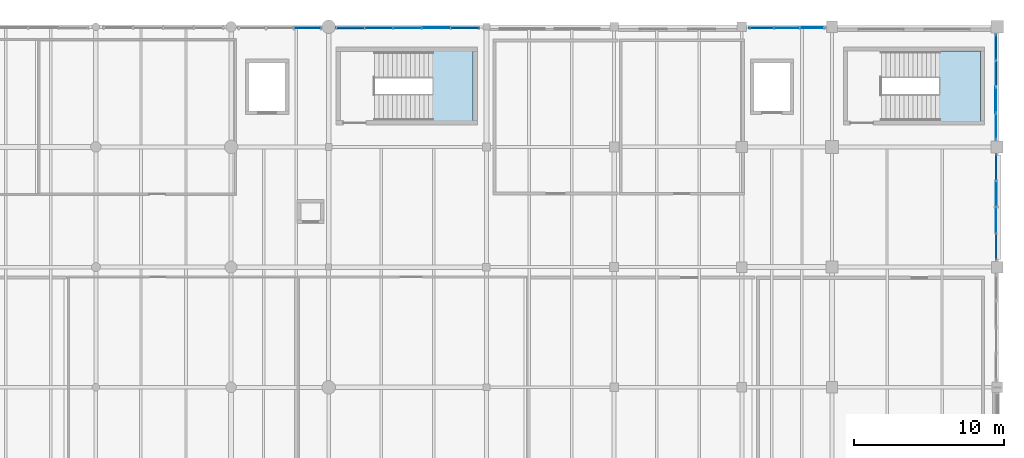
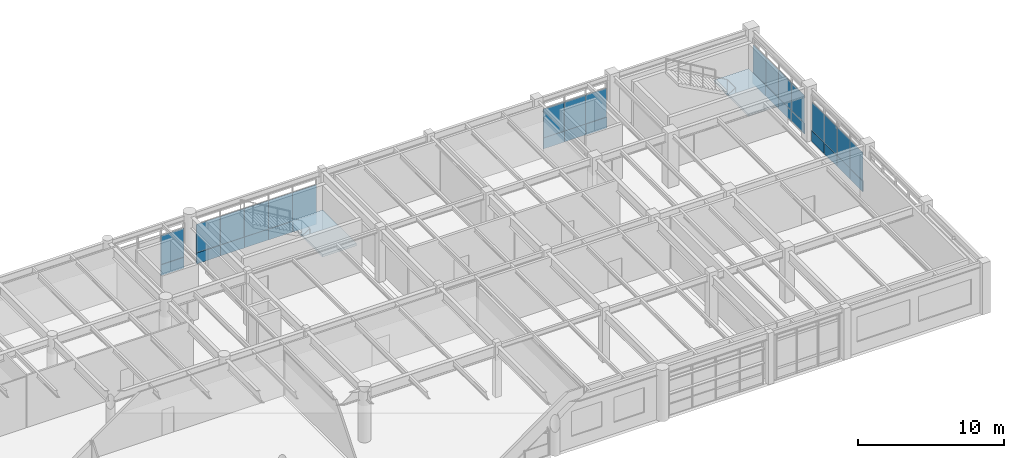
# One storey, part 139 of 168: 34 plates, 2 slabs, 7 elements without a shape of their own.
"""IFC4 building model written with IfcOpenShell, lengths in metres."""

import ifcopenshell
import ifcopenshell.guid

model = None  # the IFC model being written
_history = None  # IfcOwnerHistory: only IFC2X3 demands one
_inside = {}  # id of a spatial element -> (the spatial element, [elements in it])
_under = {}  # id of a project, library or spatial element -> (it, [spatial elements below it])
_declared = {}  # id of a project -> (the project, [libraries it declares])
_typed = {}  # id of a type object -> (the type object, [elements of that type])
_made_of = {}  # id of a material, layer set ... -> (it, [elements and type objects made of it])


def new_model(schema):
    """Start an empty IFC model of exactly this schema.

    Asked for "IFC4X3", IfcOpenShell would pick the latest addendum, in which some entities
    have other attributes; the version numbers below select the first issue.
    IFC2X3 requires an IfcOwnerHistory on every rooted entity: one is made here for all.
    """
    global model, _history
    if schema == "IFC4X3":
        model = ifcopenshell.file(schema_version=(4, 3, 0, 0))
    else:
        model = ifcopenshell.file(schema=schema)
    _inside.clear()
    _under.clear()
    _declared.clear()
    _typed.clear()
    _made_of.clear()
    _history = None
    if model.schema == "IFC2X3":
        org = make("IfcOrganization", Name="unknown")
        user = make(
            "IfcPersonAndOrganization",
            ThePerson=make("IfcPerson", FamilyName="unknown"),
            TheOrganization=org,
        )
        app = make(
            "IfcApplication",
            ApplicationDeveloper=org,
            Version="unknown",
            ApplicationFullName="unknown",
            ApplicationIdentifier="unknown",
        )
        _history = make(
            "IfcOwnerHistory",
            OwningUser=user,
            OwningApplication=app,
            ChangeAction="ADDED",
            CreationDate=0,
        )
    return model


def make(cls, **values):
    """One entity of the class cls with the attributes given. An attribute that is None is left unset."""
    return model.create_entity(
        cls, **{name: value for name, value in values.items() if value is not None}
    )


def rooted(cls, **values):
    """An entity with a GlobalId (a new one), such as an element, a storey or a relation."""
    return make(cls, GlobalId=ifcopenshell.guid.new(), OwnerHistory=_history, **values)


def si_unit(unit_type, name, prefix=None):
    """IfcSIUnit, for example si_unit("LENGTHUNIT", "METRE", prefix="MILLI")."""
    return make("IfcSIUnit", UnitType=unit_type, Prefix=prefix, Name=name)


def assignment(units):
    """IfcUnitAssignment: the units of a project."""
    return None if units is None else make("IfcUnitAssignment", Units=units)


def point(xyz):
    """IfcCartesianPoint."""
    return None if xyz is None else make("IfcCartesianPoint", Coordinates=xyz)


def direction(xyz):
    """IfcDirection."""
    return None if xyz is None else make("IfcDirection", DirectionRatios=xyz)


def frame(location, z_axis=None, x_axis=None):
    """IfcAxis2Placement3D, a coordinate frame: its origin and axes. An axis left out is left unset."""
    return make(
        "IfcAxis2Placement3D",
        Location=point(location),
        Axis=direction(z_axis),
        RefDirection=direction(x_axis),
    )


def frame_2d(location, x_axis=None):
    """IfcAxis2Placement2D, a coordinate frame in the plane: its origin and x axis."""
    return make(
        "IfcAxis2Placement2D", Location=point(location), RefDirection=direction(x_axis)
    )


def origin():
    """The frame at (0, 0, 0) with its axes left unset."""
    return frame((0.0, 0.0, 0.0))


def origin_2d():
    """The frame at (0, 0) in the plane with its x axis left unset."""
    return frame_2d((0.0, 0.0))


def place(relative_to, where):
    """IfcLocalPlacement: puts the frame where relative to a parent placement (None: the world)."""
    return make(
        "IfcLocalPlacement", PlacementRelTo=relative_to, RelativePlacement=where
    )


def context(
    kind, dimensions, precision=None, world=None, true_north=None, identifier=None
):
    """IfcGeometricRepresentationContext, for example the 3D "Model" context."""
    return make(
        "IfcGeometricRepresentationContext",
        ContextIdentifier=identifier,
        ContextType=kind,
        CoordinateSpaceDimension=dimensions,
        Precision=precision,
        WorldCoordinateSystem=world,
        TrueNorth=true_north,
    )


def subcontext(parent, identifier, kind, view, scale=None):
    """IfcGeometricRepresentationSubContext, for example "Body" below "Model"."""
    return make(
        "IfcGeometricRepresentationSubContext",
        ContextIdentifier=identifier,
        ContextType=kind,
        ParentContext=parent,
        TargetScale=scale,
        TargetView=view,
    )


def project(units=None, contexts=None):
    """IfcProject with its units and contexts."""
    return rooted(
        "IfcProject",
        Name="project",
        RepresentationContexts=contexts,
        UnitsInContext=assignment(units),
    )


def spatial(cls, under=None, at=None, **own):
    """A site, building, storey or space (cls), placed at a placement, below another one or the project."""
    s = rooted(cls, ObjectPlacement=at, **own)
    if under is not None:
        _under.setdefault(under.id(), (under, []))[1].append(s)
    return s


def polyline(points):
    """IfcPolyline through the points."""
    return make("IfcPolyline", Points=[point(p) for p in points])


def profile(cls, at=None, kind="AREA", **sizes):
    """A parametric profile (cls). Its sizes go by their IFC names, for example OverallWidth=200.0."""
    return make(cls, ProfileType=kind, Position=at, **sizes)


def rectangle(**sizes):
    """IfcRectangleProfileDef."""
    return profile("IfcRectangleProfileDef", **sizes)


def outline(outer, holes=None, kind="AREA"):
    """IfcArbitraryClosedProfileDef: a profile drawn as a closed curve; with holes, ...WithVoids."""
    if holes is None:
        return make("IfcArbitraryClosedProfileDef", ProfileType=kind, OuterCurve=outer)
    return make(
        "IfcArbitraryProfileDefWithVoids",
        ProfileType=kind,
        OuterCurve=outer,
        InnerCurves=holes,
    )


def extrude(swept, where, along, depth):
    """IfcExtrudedAreaSolid: the profile swept, set in the frame where, extruded along a direction by depth."""
    return make(
        "IfcExtrudedAreaSolid",
        SweptArea=swept,
        Position=where,
        ExtrudedDirection=direction(along),
        Depth=depth,
    )


def shape(context_of_items, identifier, shape_type, items):
    """IfcShapeRepresentation: the items that make up one representation, for example the "Body"."""
    return make(
        "IfcShapeRepresentation",
        ContextOfItems=context_of_items,
        RepresentationIdentifier=identifier,
        RepresentationType=shape_type,
        Items=items,
    )


def material(Name=None, Category=None):
    """IfcMaterial."""
    return make("IfcMaterial", Name=Name, Category=Category)


def layer(
    of_material, thickness, ventilated=None, Name=None, Category=None, Priority=None
):
    """IfcMaterialLayer: one layer of a wall or slab, of a material (None: an air gap)."""
    return make(
        "IfcMaterialLayer",
        Material=of_material,
        LayerThickness=thickness,
        IsVentilated=ventilated,
        Name=Name,
        Category=Category,
        Priority=Priority,
    )


def layer_set(layers, Name=None):
    """IfcMaterialLayerSet."""
    return make("IfcMaterialLayerSet", MaterialLayers=layers, LayerSetName=Name)


def made_of(thing, what):
    """Note that an element or type object is made of a material, layer set ...; save() writes the relation."""
    if what is not None:
        _made_of.setdefault(what.id(), (what, []))[1].append(thing)
    return thing


def type_object(cls, material=None, **own):
    """A type object (cls), such as IfcWallType, which elements share."""
    return made_of(rooted(cls, **own), material)


def element(
    cls,
    number,
    at=None,
    inside=None,
    cuts=None,
    type_object=None,
    material=None,
    context=None,
    identifier="Body",
    shape_type=None,
    held_by="IfcProductDefinitionShape",
    body=None,
    shapes=None,
    **own,
):
    """One element of the class cls, such as IfcWall. Its Tag is "e" and its number.

    at: its placement. inside: the storey or other place that contains it. cuts: it is an
    opening in that element (IfcRelVoidsElement). A single representation is given by context,
    identifier, shape_type and body (its items); several are given by shapes. held_by: the class
    of the entity that holds the representations. save() writes the other relations.
    """
    e = rooted(cls, Tag="e%d" % number, ObjectPlacement=at, **own)
    if body is not None:
        shapes = [shape(context, identifier, shape_type, body)]
    if shapes is not None:
        e.Representation = make(held_by, Representations=shapes)
    if inside is not None:
        _inside.setdefault(inside.id(), (inside, []))[1].append(e)
    if cuts is not None:
        rooted(
            "IfcRelVoidsElement", RelatingBuildingElement=cuts, RelatedOpeningElement=e
        )
    if type_object is not None:
        _typed.setdefault(type_object.id(), (type_object, []))[1].append(e)
    return made_of(e, material)


def aggregate(whole, parts):
    """IfcRelAggregates: a whole, such as a stair, and the parts it consists of."""
    return rooted("IfcRelAggregates", RelatingObject=whole, RelatedObjects=parts)


def save(model, path):
    """Write the relations noted so far, then the file.

    IfcRelAggregates (storeys below a building ...), IfcRelContainedInSpatialStructure (elements
    in a storey), IfcRelDefinesByType, IfcRelAssociatesMaterial and IfcRelDeclares: one each for
    every whole, place, type object, material and project.
    """
    for whole, parts in _under.values():
        aggregate(whole, parts)
    for where, things in _inside.values():
        rooted(
            "IfcRelContainedInSpatialStructure",
            RelatedElements=things,
            RelatingStructure=where,
        )
    for kind, things in _typed.values():
        rooted("IfcRelDefinesByType", RelatedObjects=things, RelatingType=kind)
    for what, things in _made_of.values():
        rooted("IfcRelAssociatesMaterial", RelatedObjects=things, RelatingMaterial=what)
    for by, libraries in _declared.values():
        rooted("IfcRelDeclares", RelatingContext=by, RelatedDefinitions=libraries)
    model.write(path)


model = new_model("IFC4")

# Units and contexts
model_context = context("Model", 3, precision=1e-05, world=origin(), true_north=direction((0.0, 1.0)))
body_context = subcontext(model_context, "Body", "Model", "MODEL_VIEW")
ifc_project = project(units=[si_unit("LENGTHUNIT", "METRE"), si_unit("AREAUNIT", "SQUARE_METRE"), si_unit("VOLUMEUNIT", "CUBIC_METRE"), si_unit("PLANEANGLEUNIT", "RADIAN"), si_unit("MASSUNIT", "GRAM", prefix="KILO"), si_unit("THERMODYNAMICTEMPERATUREUNIT", "KELVIN"), si_unit("POWERUNIT", "WATT")], contexts=[model_context])

# Site, building, storey
site_placement = place(None, origin())
site = spatial("IfcSite", under=ifc_project, at=site_placement, CompositionType="ELEMENT")
building_placement = place(site_placement, origin())
building = spatial("IfcBuilding", under=site, at=building_placement, Name="Tepalcoro Natatorium and Aquatics Centre", CompositionType="ELEMENT")
storey_placement = place(building_placement, frame((0.0, 0.0, 10.199951171875)))
storey = spatial("IfcBuildingStorey", under=building, at=storey_placement, Name="L02", CompositionType="ELEMENT", Elevation=10.199951171875)

# Curtain wall, plate
ifc_material_1 = material(Name="Bronze-Anodised Extruded Aluminium Alloy EN AW-6063 T6", Category="aluminium")
curtain_wall_type_1 = type_object("IfcCurtainWallType", Name="CW_V1_PLINTH", PredefinedType="USERDEFINED", material=ifc_material_1)
curtain_wall_1_placement = place(storey_placement, origin())
curtain_wall_1 = element("IfcCurtainWall", 1, at=curtain_wall_1_placement, inside=storey, type_object=curtain_wall_type_1, Name="V5 L02 N Unitised Curtain Wall Bay 5", ObjectType="UNITISED STOREFRONT", PredefinedType="USERDEFINED")
ifc_material_2 = material(Name="Solar-Control Bronze Tempered Low-E Double Glazing", Category="glass")
ifc_layer_1 = layer(ifc_material_2, 0.048095703125)
ifc_layer_set_1 = layer_set([ifc_layer_1], Name="Solar-Control Bronze Tempered Low-E Double Glazing")
plate_type_1 = type_object("IfcPlateType", Name="PL_ACOUSTIC_IGU_48", PredefinedType="CURTAIN_PANEL", material=ifc_layer_set_1)
plate_1_placement = place(storey_placement, frame((136.75, 117.923828125, 0.9599609375), z_axis=(0.0, 0.0, 1.0), x_axis=(1.0, 0.0, 0.0)))
plate_1 = element("IfcPlate", 2, at=plate_1_placement, type_object=plate_type_1, Name="CW_V1_PLINTH Insulated Glazing Unit", PredefinedType="CURTAIN_PANEL", context=body_context, shape_type="SweptSolid", body=[
    extrude(rectangle(XDim=1.887939453125, YDim=0.048095703125, at=origin_2d()), origin(), (0.0, 0.0, 1.0), 2.3701171875),
])

curtain_wall_type_2 = type_object("IfcCurtainWallType", Name="CW_V4_VILLAGE", PredefinedType="USERDEFINED", material=ifc_material_1)
curtain_wall_2_placement = place(storey_placement, origin())
curtain_wall_2 = element("IfcCurtainWall", 3, at=curtain_wall_2_placement, inside=storey, type_object=curtain_wall_type_2, Name="V5 L02 N Unitised Curtain Wall Bay 8", ObjectType="UNITISED STOREFRONT", PredefinedType="USERDEFINED")
plate_2_placement = place(storey_placement, frame((162.0, 117.923828125, 0.9599609375), z_axis=(0.0, 0.0, 1.0), x_axis=(1.0, 0.0, 0.0)))
plate_2 = element("IfcPlate", 4, at=plate_2_placement, type_object=plate_type_1, Name="CW_V4_VILLAGE Insulated Glazing Unit", PredefinedType="CURTAIN_PANEL", context=body_context, shape_type="SweptSolid", body=[
    extrude(rectangle(XDim=1.659912109375, YDim=0.048095703125, at=origin_2d()), origin(), (0.0, 0.0, 1.0), 2.4169921875),
])

curtain_wall_type_3 = type_object("IfcCurtainWallType", Name="CW_LEAN_T2_EW", PredefinedType="USERDEFINED", material=ifc_material_1)
curtain_wall_3_placement = place(storey_placement, origin())
curtain_wall_3 = element("IfcCurtainWall", 5, at=curtain_wall_3_placement, inside=storey, type_object=curtain_wall_type_3, Name="V5 L02 E Unitised Curtain Wall Bay 3", ObjectType="FACETED SOLAR GLAZING", PredefinedType="USERDEFINED")
plate_3_placement = place(storey_placement, frame((175.923828125, 106.8798828125, 0.9599609375), z_axis=(0.0, 0.0, 1.0), x_axis=(1.0, 0.0, 0.0)))
plate_3 = element("IfcPlate", 6, at=plate_3_placement, type_object=plate_type_1, Name="CW_LEAN_T2_EW Insulated Glazing Unit", PredefinedType="CURTAIN_PANEL", context=body_context, shape_type="SweptSolid", body=[
    extrude(rectangle(XDim=0.048095703125, YDim=1.739990234375, at=origin_2d()), origin(), (0.0, 0.0, 1.0), 2.3701171875),
])

curtain_wall_4_placement = place(storey_placement, origin())
curtain_wall_4 = element("IfcCurtainWall", 7, at=curtain_wall_4_placement, inside=storey, type_object=curtain_wall_type_1, Name="V5 L02 E Unitised Curtain Wall Bay 4", ObjectType="UNITISED STOREFRONT", PredefinedType="USERDEFINED")
plate_4_placement = place(storey_placement, frame((175.909912109375, 113.1201171875, 0.9599609375), z_axis=(0.0, 0.0, 1.0), x_axis=(1.0, 0.0, 0.0)))
plate_4 = element("IfcPlate", 8, at=plate_4_placement, type_object=plate_type_1, Name="CW_V1_PLINTH Insulated Glazing Unit", PredefinedType="CURTAIN_PANEL", context=body_context, shape_type="SweptSolid", body=[
    extrude(rectangle(XDim=0.048095703125, YDim=1.739990234375, at=origin_2d()), origin(), (0.0, 0.0, 1.0), 2.2939453125),
])

curtain_wall_5_placement = place(storey_placement, origin())
curtain_wall_5 = element("IfcCurtainWall", 9, at=curtain_wall_5_placement, inside=storey, type_object=curtain_wall_type_3, Name="V5 L02 N Unitised Curtain Wall Bay 4", ObjectType="FACETED SOLAR GLAZING", PredefinedType="USERDEFINED")
ifc_layer_2 = layer(ifc_material_2, 0.028076171875)
ifc_layer_set_2 = layer_set([ifc_layer_2], Name="Solar-Control Bronze Tempered Low-E Double Glazing")
plate_type_2 = type_object("IfcPlateType", Name="PL_BRONZE_IGU_28", PredefinedType="CURTAIN_PANEL", material=ifc_layer_set_2)
plate_5_placement = place(storey_placement, frame((130.0966796875, 117.919921875, 0.9599609375), z_axis=(0.0, 0.0, 1.0), x_axis=(1.0, 0.0, 0.0)))
plate_5 = element("IfcPlate", 10, at=plate_5_placement, type_object=plate_type_2, Name="CW_LEAN_T2_EW Insulated Glazing Unit", PredefinedType="CURTAIN_PANEL", context=body_context, shape_type="SweptSolid", body=[
    extrude(rectangle(XDim=1.82666015625, YDim=0.028076171875, at=origin_2d()), origin(), (0.0, 0.0, 1.0), 2.4169921875),
])

# Plate
plate_6_placement = place(storey_placement, frame((134.842041015625, 117.923828125, 0.9599609375), z_axis=(0.0, 0.0, 1.0), x_axis=(1.0, 0.0, 0.0)))
plate_6 = element("IfcPlate", 11, at=plate_6_placement, type_object=plate_type_2, Name="CW_V1_PLINTH Insulated Glazing Unit", PredefinedType="CURTAIN_PANEL", context=body_context, shape_type="SweptSolid", body=[
    extrude(rectangle(XDim=1.887939453125, YDim=0.028076171875, at=origin_2d()), origin(), (0.0, 0.0, 1.0), 2.3701171875),
])

plate_7_placement = place(storey_placement, frame((140.56591796875, 117.923828125, 0.9599609375), z_axis=(0.0, 0.0, 1.0), x_axis=(1.0, 0.0, 0.0)))
plate_7 = element("IfcPlate", 12, at=plate_7_placement, type_object=plate_type_2, Name="CW_V1_PLINTH Insulated Glazing Unit", PredefinedType="CURTAIN_PANEL", context=body_context, shape_type="SweptSolid", body=[
    extrude(rectangle(XDim=1.887939453125, YDim=0.028076171875, at=origin_2d()), origin(), (0.0, 0.0, 1.0), 2.3701171875),
])

plate_8_placement = place(storey_placement, frame((160.320068359375, 117.923828125, 0.9599609375), z_axis=(0.0, 0.0, 1.0), x_axis=(1.0, 0.0, 0.0)))
plate_8 = element("IfcPlate", 13, at=plate_8_placement, type_object=plate_type_2, Name="CW_V4_VILLAGE Insulated Glazing Unit", PredefinedType="CURTAIN_PANEL", context=body_context, shape_type="SweptSolid", body=[
    extrude(rectangle(XDim=1.659912109375, YDim=0.028076171875, at=origin_2d()), origin(), (0.0, 0.0, 1.0), 2.4169921875),
])

plate_9_placement = place(storey_placement, frame((175.923828125, 105.1201171875, 0.9599609375), z_axis=(0.0, 0.0, 1.0), x_axis=(1.0, 0.0, 0.0)))
plate_9 = element("IfcPlate", 14, at=plate_9_placement, type_object=plate_type_2, Name="CW_LEAN_T2_EW Insulated Glazing Unit", PredefinedType="CURTAIN_PANEL", context=body_context, shape_type="SweptSolid", body=[
    extrude(rectangle(XDim=0.028076171875, YDim=1.739990234375, at=origin_2d()), origin(), (0.0, 0.0, 1.0), 2.3701171875),
])

plate_10_placement = place(storey_placement, frame((175.909912109375, 111.360107421875, 0.9599609375), z_axis=(0.0, 0.0, 1.0), x_axis=(1.0, 0.0, 0.0)))
plate_10 = element("IfcPlate", 15, at=plate_10_placement, type_object=plate_type_2, Name="CW_V1_PLINTH Insulated Glazing Unit", PredefinedType="CURTAIN_PANEL", context=body_context, shape_type="SweptSolid", body=[
    extrude(rectangle(XDim=0.028076171875, YDim=1.739990234375, at=origin_2d()), origin(), (0.0, 0.0, 1.0), 2.2939453125),
])

plate_11_placement = place(storey_placement, frame((175.909912109375, 116.639892578125, 0.9599609375), z_axis=(0.0, 0.0, 1.0), x_axis=(1.0, 0.0, 0.0)))
plate_11 = element("IfcPlate", 16, at=plate_11_placement, type_object=plate_type_2, Name="CW_V1_PLINTH Insulated Glazing Unit", PredefinedType="CURTAIN_PANEL", context=body_context, shape_type="SweptSolid", body=[
    extrude(rectangle(XDim=0.028076171875, YDim=1.739990234375, at=origin_2d()), origin(), (0.0, 0.0, 1.0), 2.2939453125),
])

ifc_material_3 = material(Name="Jalisco Cantera Rosa Volcanic Tuff Ashlar Masonry", Category="masonry")
ifc_layer_3 = layer(ifc_material_3, 0.090087890625)
ifc_layer_set_3 = layer_set([ifc_layer_3], Name="Jalisco Cantera Rosa Volcanic Tuff Ashlar Masonry")
plate_type_3 = type_object("IfcPlateType", Name="PL_CANTERA_90", PredefinedType="SHEET", material=ifc_layer_set_3)
plate_12_placement = place(storey_placement, frame((140.56591796875, 117.923828125, 0.044921875), z_axis=(0.0, 0.0, 1.0), x_axis=(1.0, 0.0, 0.0)))
plate_12 = element("IfcPlate", 17, at=plate_12_placement, type_object=plate_type_3, Name="CW_V1_PLINTH Spandrel & Screen Panel", PredefinedType="SHEET", context=body_context, shape_type="SweptSolid", body=[
    extrude(rectangle(XDim=1.887939453125, YDim=0.090087890625, at=origin_2d()), origin(), (0.0, 0.0, 1.0), 0.909912109375),
])

plate_13_placement = place(storey_placement, frame((175.923828125, 108.639892578125, 0.044921875), z_axis=(0.0, 0.0, 1.0), x_axis=(1.0, 0.0, 0.0)))
plate_13 = element("IfcPlate", 18, at=plate_13_placement, type_object=plate_type_3, Name="CW_LEAN_T2_EW Spandrel & Screen Panel", PredefinedType="SHEET", context=body_context, shape_type="SweptSolid", body=[
    extrude(rectangle(XDim=0.090087890625, YDim=1.739990234375, at=origin_2d()), origin(), (0.0, 0.0, 1.0), 0.909912109375),
])

plate_14_placement = place(storey_placement, frame((175.909912109375, 114.8798828125, 0.044921875), z_axis=(0.0, 0.0, 1.0), x_axis=(1.0, 0.0, 0.0)))
plate_14 = element("IfcPlate", 19, at=plate_14_placement, type_object=plate_type_3, Name="CW_V1_PLINTH Spandrel & Screen Panel", PredefinedType="SHEET", context=body_context, shape_type="SweptSolid", body=[
    extrude(rectangle(XDim=0.090087890625, YDim=1.739990234375, at=origin_2d()), origin(), (0.0, 0.0, 1.0), 0.909912109375),
])

ifc_material_4 = material(Name="Clear Tempered Low-E Safety Glazing", Category="glass")
ifc_layer_4 = layer(ifc_material_4, 0.011962890625)
ifc_layer_set_4 = layer_set([ifc_layer_4], Name="Clear Tempered Low-E Safety Glazing")
plate_type_4 = type_object("IfcPlateType", Name="PL_GLASS_12", PredefinedType="CURTAIN_PANEL", material=ifc_layer_set_4)
plate_15_placement = place(storey_placement, frame((132.93408203125, 117.923828125, 0.9599609375), z_axis=(0.0, 0.0, 1.0), x_axis=(1.0, 0.0, 0.0)))
plate_15 = element("IfcPlate", 20, at=plate_15_placement, type_object=plate_type_4, Name="CW_V1_PLINTH Insulated Glazing Unit", PredefinedType="CURTAIN_PANEL", context=body_context, shape_type="SweptSolid", body=[
    extrude(rectangle(XDim=1.887939453125, YDim=0.011962890625, at=origin_2d()), origin(), (0.0, 0.0, 1.0), 2.3701171875),
])

plate_16_placement = place(storey_placement, frame((138.657958984375, 117.923828125, 0.9599609375), z_axis=(0.0, 0.0, 1.0), x_axis=(1.0, 0.0, 0.0)))
plate_16 = element("IfcPlate", 21, at=plate_16_placement, type_object=plate_type_4, Name="CW_V1_PLINTH Insulated Glazing Unit", PredefinedType="CURTAIN_PANEL", context=body_context, shape_type="SweptSolid", body=[
    extrude(rectangle(XDim=1.887939453125, YDim=0.011962890625, at=origin_2d()), origin(), (0.0, 0.0, 1.0), 2.3701171875),
])

plate_17_placement = place(storey_placement, frame((163.679931640625, 117.923828125, 0.9599609375), z_axis=(0.0, 0.0, 1.0), x_axis=(1.0, 0.0, 0.0)))
plate_17 = element("IfcPlate", 22, at=plate_17_placement, type_object=plate_type_4, Name="CW_V4_VILLAGE Insulated Glazing Unit", PredefinedType="CURTAIN_PANEL", context=body_context, shape_type="SweptSolid", body=[
    extrude(rectangle(XDim=1.659912109375, YDim=0.011962890625, at=origin_2d()), origin(), (0.0, 0.0, 1.0), 2.4169921875),
])

plate_18_placement = place(storey_placement, frame((175.923828125, 103.360107421875, 0.9599609375), z_axis=(0.0, 0.0, 1.0), x_axis=(1.0, 0.0, 0.0)))
plate_18 = element("IfcPlate", 23, at=plate_18_placement, type_object=plate_type_4, Name="CW_LEAN_T2_EW Insulated Glazing Unit", PredefinedType="CURTAIN_PANEL", context=body_context, shape_type="SweptSolid", body=[
    extrude(rectangle(XDim=0.011962890625, YDim=1.739990234375, at=origin_2d()), origin(), (0.0, 0.0, 1.0), 2.3701171875),
])

plate_19_placement = place(storey_placement, frame((175.923828125, 108.639892578125, 0.9599609375), z_axis=(0.0, 0.0, 1.0), x_axis=(1.0, 0.0, 0.0)))
plate_19 = element("IfcPlate", 24, at=plate_19_placement, type_object=plate_type_4, Name="CW_LEAN_T2_EW Insulated Glazing Unit", PredefinedType="CURTAIN_PANEL", context=body_context, shape_type="SweptSolid", body=[
    extrude(rectangle(XDim=0.011962890625, YDim=1.739990234375, at=origin_2d()), origin(), (0.0, 0.0, 1.0), 2.3701171875),
])

plate_20_placement = place(storey_placement, frame((175.909912109375, 114.8798828125, 0.9599609375), z_axis=(0.0, 0.0, 1.0), x_axis=(1.0, 0.0, 0.0)))
plate_20 = element("IfcPlate", 25, at=plate_20_placement, type_object=plate_type_4, Name="CW_V1_PLINTH Insulated Glazing Unit", PredefinedType="CURTAIN_PANEL", context=body_context, shape_type="SweptSolid", body=[
    extrude(rectangle(XDim=0.011962890625, YDim=1.739990234375, at=origin_2d()), origin(), (0.0, 0.0, 1.0), 2.2939453125),
])

ifc_material_5 = material(Name="Volcanic Recinto Basalt Ashlar Masonry", Category="masonry")
ifc_layer_5 = layer(ifc_material_5, 0.110107421875)
ifc_layer_set_5 = layer_set([ifc_layer_5], Name="Volcanic Recinto Basalt Ashlar Masonry")
plate_type_5 = type_object("IfcPlateType", Name="PL_RECINTO_110", PredefinedType="SHEET", material=ifc_layer_set_5)
plate_21_placement = place(storey_placement, frame((132.93408203125, 117.923828125, 0.044921875), z_axis=(0.0, 0.0, 1.0), x_axis=(1.0, 0.0, 0.0)))
plate_21 = element("IfcPlate", 26, at=plate_21_placement, type_object=plate_type_5, Name="CW_V1_PLINTH Spandrel & Screen Panel", PredefinedType="SHEET", context=body_context, shape_type="SweptSolid", body=[
    extrude(rectangle(XDim=1.887939453125, YDim=0.110107421875, at=origin_2d()), origin(), (0.0, 0.0, 1.0), 0.909912109375),
])

plate_22_placement = place(storey_placement, frame((175.909912109375, 116.639892578125, 0.044921875), z_axis=(0.0, 0.0, 1.0), x_axis=(1.0, 0.0, 0.0)))
plate_22 = element("IfcPlate", 27, at=plate_22_placement, type_object=plate_type_5, Name="CW_V1_PLINTH Spandrel & Screen Panel", PredefinedType="SHEET", context=body_context, shape_type="SweptSolid", body=[
    extrude(rectangle(XDim=0.110107421875, YDim=1.739990234375, at=origin_2d()), origin(), (0.0, 0.0, 1.0), 0.909912109375),
])

ifc_layer_6 = layer(ifc_material_1, 0.050048828125)
ifc_layer_set_6 = layer_set([ifc_layer_6], Name="Bronze-Anodised Extruded Aluminium Alloy EN AW-6063 T6")
plate_type_6 = type_object("IfcPlateType", Name="PL_SCREEN_50", PredefinedType="SHEET", material=ifc_layer_set_6)
plate_23_placement = place(storey_placement, frame((136.75, 117.923828125, 0.044921875), z_axis=(0.0, 0.0, 1.0), x_axis=(1.0, 0.0, 0.0)))
plate_23 = element("IfcPlate", 28, at=plate_23_placement, type_object=plate_type_6, Name="CW_V1_PLINTH Spandrel & Screen Panel", PredefinedType="SHEET", context=body_context, shape_type="SweptSolid", body=[
    extrude(rectangle(XDim=1.887939453125, YDim=0.050048828125, at=origin_2d()), origin(), (0.0, 0.0, 1.0), 0.909912109375),
])

plate_24_placement = place(storey_placement, frame((162.0, 117.923828125, 0.044921875), z_axis=(0.0, 0.0, 1.0), x_axis=(1.0, 0.0, 0.0)))
plate_24 = element("IfcPlate", 29, at=plate_24_placement, type_object=plate_type_6, Name="CW_V4_VILLAGE Spandrel & Screen Panel", PredefinedType="SHEET", context=body_context, shape_type="SweptSolid", body=[
    extrude(rectangle(XDim=1.659912109375, YDim=0.050048828125, at=origin_2d()), origin(), (0.0, 0.0, 1.0), 0.909912109375),
])

plate_25_placement = place(storey_placement, frame((175.923828125, 105.1201171875, 0.044921875), z_axis=(0.0, 0.0, 1.0), x_axis=(1.0, 0.0, 0.0)))
plate_25 = element("IfcPlate", 30, at=plate_25_placement, type_object=plate_type_6, Name="CW_LEAN_T2_EW Spandrel & Screen Panel", PredefinedType="SHEET", context=body_context, shape_type="SweptSolid", body=[
    extrude(rectangle(XDim=0.050048828125, YDim=1.739990234375, at=origin_2d()), origin(), (0.0, 0.0, 1.0), 0.909912109375),
])

plate_26_placement = place(storey_placement, frame((175.909912109375, 111.360107421875, 0.044921875), z_axis=(0.0, 0.0, 1.0), x_axis=(1.0, 0.0, 0.0)))
plate_26 = element("IfcPlate", 31, at=plate_26_placement, type_object=plate_type_6, Name="CW_V1_PLINTH Spandrel & Screen Panel", PredefinedType="SHEET", context=body_context, shape_type="SweptSolid", body=[
    extrude(rectangle(XDim=0.050048828125, YDim=1.739990234375, at=origin_2d()), origin(), (0.0, 0.0, 1.0), 0.909912109375),
])

ifc_layer_7 = layer(ifc_material_1, 0.06005859375)
ifc_layer_set_7 = layer_set([ifc_layer_7], Name="Bronze-Anodised Extruded Aluminium Alloy EN AW-6063 T6")
plate_type_7 = type_object("IfcPlateType", Name="PL_SCREEN_60", PredefinedType="SHEET", material=ifc_layer_set_7)
plate_27_placement = place(storey_placement, frame((138.657958984375, 117.923828125, 0.044921875), z_axis=(0.0, 0.0, 1.0), x_axis=(1.0, 0.0, 0.0)))
plate_27 = element("IfcPlate", 32, at=plate_27_placement, type_object=plate_type_7, Name="CW_V1_PLINTH Spandrel & Screen Panel", PredefinedType="SHEET", context=body_context, shape_type="SweptSolid", body=[
    extrude(rectangle(XDim=1.887939453125, YDim=0.06005859375, at=origin_2d()), origin(), (0.0, 0.0, 1.0), 0.909912109375),
])

plate_28_placement = place(storey_placement, frame((163.679931640625, 117.923828125, 0.044921875), z_axis=(0.0, 0.0, 1.0), x_axis=(1.0, 0.0, 0.0)))
plate_28 = element("IfcPlate", 33, at=plate_28_placement, type_object=plate_type_7, Name="CW_V4_VILLAGE Spandrel & Screen Panel", PredefinedType="SHEET", context=body_context, shape_type="SweptSolid", body=[
    extrude(rectangle(XDim=1.659912109375, YDim=0.06005859375, at=origin_2d()), origin(), (0.0, 0.0, 1.0), 0.909912109375),
])

plate_29_placement = place(storey_placement, frame((175.923828125, 106.8798828125, 0.044921875), z_axis=(0.0, 0.0, 1.0), x_axis=(1.0, 0.0, 0.0)))
plate_29 = element("IfcPlate", 34, at=plate_29_placement, type_object=plate_type_7, Name="CW_LEAN_T2_EW Spandrel & Screen Panel", PredefinedType="SHEET", context=body_context, shape_type="SweptSolid", body=[
    extrude(rectangle(XDim=0.06005859375, YDim=1.739990234375, at=origin_2d()), origin(), (0.0, 0.0, 1.0), 0.909912109375),
])

plate_30_placement = place(storey_placement, frame((175.909912109375, 113.1201171875, 0.044921875), z_axis=(0.0, 0.0, 1.0), x_axis=(1.0, 0.0, 0.0)))
plate_30 = element("IfcPlate", 35, at=plate_30_placement, type_object=plate_type_7, Name="CW_V1_PLINTH Spandrel & Screen Panel", PredefinedType="SHEET", context=body_context, shape_type="SweptSolid", body=[
    extrude(rectangle(XDim=0.06005859375, YDim=1.739990234375, at=origin_2d()), origin(), (0.0, 0.0, 1.0), 0.909912109375),
])

aggregate(curtain_wall_4, [plate_10, plate_26, plate_4, plate_30, plate_20, plate_14, plate_11, plate_22])

ifc_material_6 = material(Name="Insulated Bronze Anodised Aluminium Spandrel Panel", Category="aluminium")
ifc_layer_8 = layer(ifc_material_6, 0.070068359375)
ifc_layer_set_8 = layer_set([ifc_layer_8], Name="Insulated Bronze Anodised Aluminium Spandrel Panel")
plate_type_8 = type_object("IfcPlateType", Name="PL_SPANDREL_70", PredefinedType="CURTAIN_PANEL", material=ifc_layer_set_8)
plate_31_placement = place(storey_placement, frame((130.0966796875, 117.919921875, 0.044921875), z_axis=(0.0, 0.0, 1.0), x_axis=(1.0, 0.0, 0.0)))
plate_31 = element("IfcPlate", 36, at=plate_31_placement, type_object=plate_type_8, Name="CW_LEAN_T2_EW Spandrel & Screen Panel", PredefinedType="CURTAIN_PANEL", context=body_context, shape_type="SweptSolid", body=[
    extrude(rectangle(XDim=1.82666015625, YDim=0.070068359375, at=origin_2d()), origin(), (0.0, 0.0, 1.0), 0.909912109375),
])

aggregate(curtain_wall_5, [plate_5, plate_31])

plate_32_placement = place(storey_placement, frame((134.842041015625, 117.923828125, 0.044921875), z_axis=(0.0, 0.0, 1.0), x_axis=(1.0, 0.0, 0.0)))
plate_32 = element("IfcPlate", 37, at=plate_32_placement, type_object=plate_type_8, Name="CW_V1_PLINTH Spandrel & Screen Panel", PredefinedType="CURTAIN_PANEL", context=body_context, shape_type="SweptSolid", body=[
    extrude(rectangle(XDim=1.887939453125, YDim=0.070068359375, at=origin_2d()), origin(), (0.0, 0.0, 1.0), 0.909912109375),
])

aggregate(curtain_wall_1, [plate_15, plate_21, plate_6, plate_32, plate_1, plate_23, plate_16, plate_27, plate_7, plate_12])

plate_33_placement = place(storey_placement, frame((160.320068359375, 117.923828125, 0.044921875), z_axis=(0.0, 0.0, 1.0), x_axis=(1.0, 0.0, 0.0)))
plate_33 = element("IfcPlate", 38, at=plate_33_placement, type_object=plate_type_8, Name="CW_V4_VILLAGE Spandrel & Screen Panel", PredefinedType="CURTAIN_PANEL", context=body_context, shape_type="SweptSolid", body=[
    extrude(rectangle(XDim=1.659912109375, YDim=0.070068359375, at=origin_2d()), origin(), (0.0, 0.0, 1.0), 0.909912109375),
])

aggregate(curtain_wall_2, [plate_8, plate_33, plate_2, plate_24, plate_17, plate_28])

plate_34_placement = place(storey_placement, frame((175.923828125, 103.360107421875, 0.044921875), z_axis=(0.0, 0.0, 1.0), x_axis=(1.0, 0.0, 0.0)))
plate_34 = element("IfcPlate", 39, at=plate_34_placement, type_object=plate_type_8, Name="CW_LEAN_T2_EW Spandrel & Screen Panel", PredefinedType="CURTAIN_PANEL", context=body_context, shape_type="SweptSolid", body=[
    extrude(rectangle(XDim=0.070068359375, YDim=1.739990234375, at=origin_2d()), origin(), (0.0, 0.0, 1.0), 0.909912109375),
])

aggregate(curtain_wall_3, [plate_18, plate_34, plate_9, plate_25, plate_3, plate_29, plate_19, plate_13])

# Stair, slab
ifc_material_7 = material(Name="Concrete C35/45 (fc 35 MPa)", Category="concrete")
stair_type_1 = type_object("IfcStairType", Name="ST_RC_1800_B1", PredefinedType="HALF_TURN_STAIR", material=ifc_material_7)
stair_1_placement = place(storey_placement, origin())
stair_1 = element("IfcStair", 40, at=stair_1_placement, inside=storey, type_object=stair_type_1, Name="Wellness & Broadcast West Fire Stair (L02 to L03)", PredefinedType="HALF_TURN_STAIR")
ifc_layer_9 = layer(ifc_material_7, 0.199951171875)
ifc_layer_set_9 = layer_set([ifc_layer_9], Name="Concrete C35/45 (fc 35 MPa)")
slab_type = type_object("IfcSlabType", Name="SL_LANDING_200", PredefinedType="LANDING", material=ifc_layer_set_9)
slab_1_placement = place(storey_placement, frame((0.0, 0.0, 2.10009765625)))
slab_1 = element("IfcSlab", 41, at=slab_1_placement, type_object=slab_type, Name="Wellness & Broadcast West Fire Stair (L02 to L03) Half-Landing", PredefinedType="LANDING", context=body_context, shape_type="SweptSolid", body=[
    extrude(outline(polyline([(138.409912109375, 111.72998046875), (141.1201171875, 111.72998046875), (141.1201171875, 116.3701171875), (138.409912109375, 116.3701171875), (138.409912109375, 111.72998046875)])), origin(), (0.0, 0.0, 1.0), 0.199951171875),
])
aggregate(stair_1, [slab_1])

stair_type_2 = type_object("IfcStairType", Name="ST_RC_1800_L00", PredefinedType="HALF_TURN_STAIR", material=ifc_material_7)
stair_2_placement = place(storey_placement, origin())
stair_2 = element("IfcStair", 42, at=stair_2_placement, inside=storey, type_object=stair_type_2, Name="Wellness & Broadcast East Fire Stair (L02 to L03)", PredefinedType="HALF_TURN_STAIR")
slab_2_placement = place(storey_placement, frame((0.0, 0.0, 2.10009765625)))
slab_2 = element("IfcSlab", 43, at=slab_2_placement, type_object=slab_type, Name="Wellness & Broadcast East Fire Stair (L02 to L03) Half-Landing", PredefinedType="LANDING", context=body_context, shape_type="SweptSolid", body=[
    extrude(outline(polyline([(172.139892578125, 111.7099609375), (174.889892578125, 111.7099609375), (174.889892578125, 116.389892578125), (172.139892578125, 116.389892578125), (172.139892578125, 111.7099609375)])), origin(), (0.0, 0.0, 1.0), 0.199951171875),
])
aggregate(stair_2, [slab_2])

save(model, "model.ifc")
